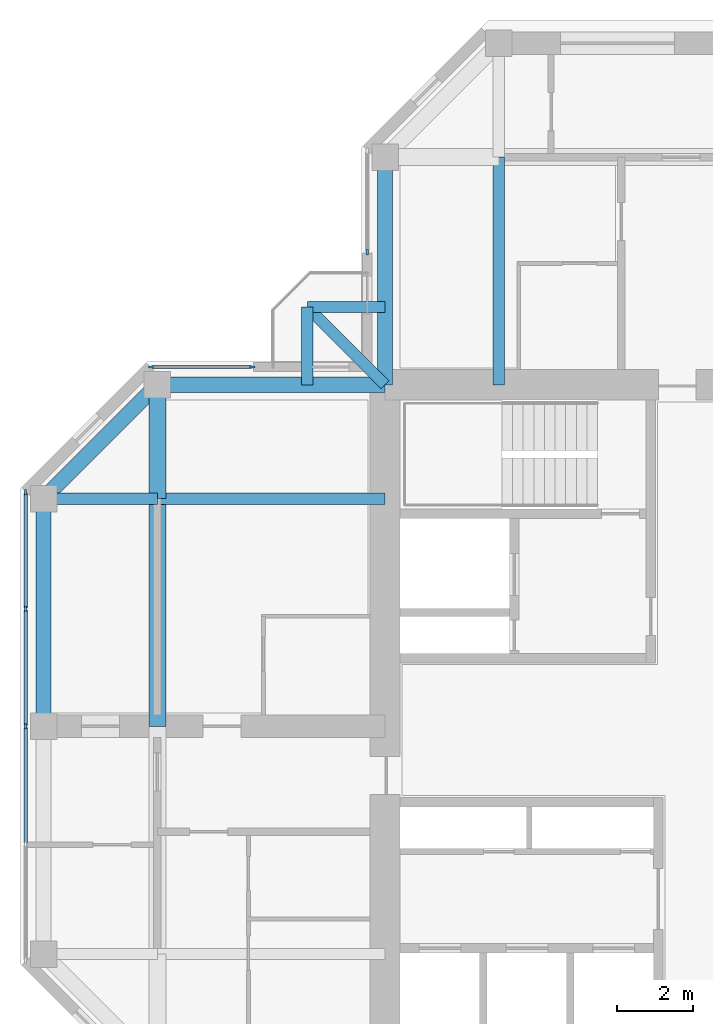
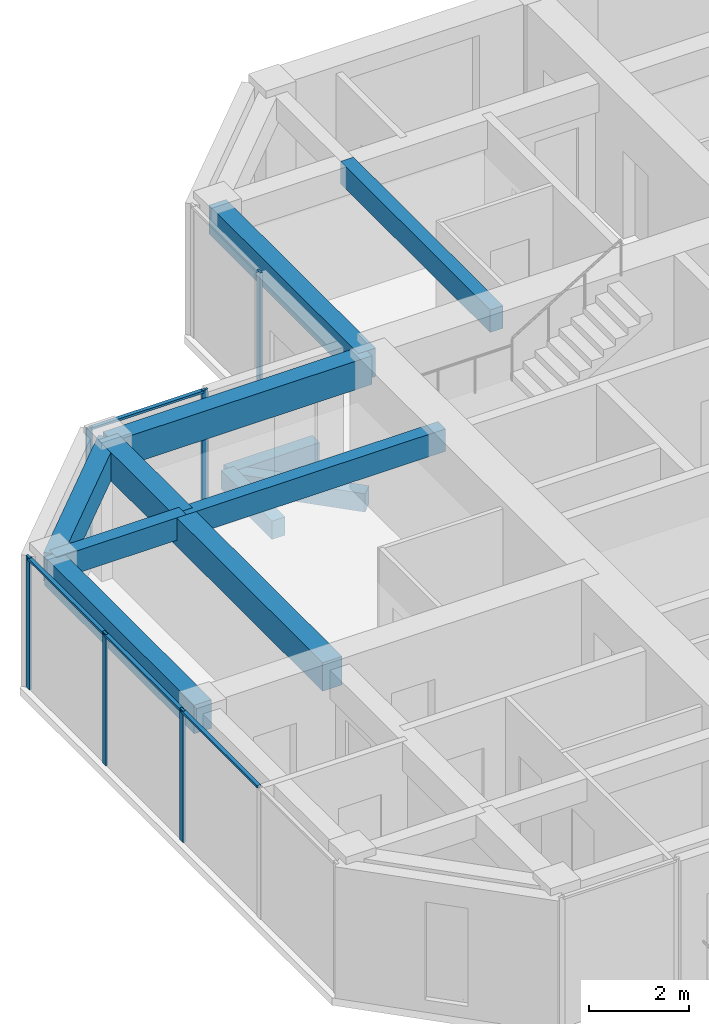
# One storey, part 4 of 13: 12 beams, 10 members, 3 elements without a shape of their own.
"""IFC4 building model written with IfcOpenShell, lengths in metres."""

from ifc_helpers import new_model, si_unit, direction, frame, origin, origin_2d, place, context, subcontext, project, spatial, rectangle, extrude, material, material_profile, profile_set, type_object, element, aggregate, save


model = new_model("IFC4")

# Units and contexts
model_context = context("Model", 3, precision=1e-05, world=origin(), true_north=direction((0.0, 1.0)))
body_context = subcontext(model_context, "Body", "Model", "MODEL_VIEW")
ifc_project = project(units=[si_unit("LENGTHUNIT", "METRE"), si_unit("AREAUNIT", "SQUARE_METRE"), si_unit("VOLUMEUNIT", "CUBIC_METRE"), si_unit("PLANEANGLEUNIT", "RADIAN"), si_unit("MASSUNIT", "GRAM", prefix="KILO")], contexts=[model_context])

# Site, building, storey
site_placement = place(None, origin())
site = spatial("IfcSite", under=ifc_project, at=site_placement, CompositionType="ELEMENT")
building_placement = place(site_placement, origin())
building = spatial("IfcBuilding", under=site, at=building_placement, Name="Torre Cruceta", CompositionType="ELEMENT")
storey_placement = place(building_placement, frame((0.0, 0.0, 278.10009765625)))
storey = spatial("IfcBuildingStorey", under=building, at=storey_placement, Name="L72", CompositionType="ELEMENT", Elevation=278.10009765625)

# Beams
ifc_material_1 = material(Name="Concrete G60 (fck 60 MPa)", Category="concrete")
ifc_material_profile_1 = material_profile(ifc_material_1, rectangle(XDim=0.300048828125, YDim=0.449951171875, at=origin_2d()), Name="RC 300X450")
ifc_profile_set_1 = profile_set([ifc_material_profile_1], Name="Concrete G60 (fck 60 MPa)")
beam_type_1 = type_object("IfcBeamType", Name="BALCONY CANTILEVER BEAM RC 300X450", PredefinedType="BEAM", material=ifc_profile_set_1)
beam_1_placement = place(storey_placement, frame((-9.0, 9.0, -0.405029296875), z_axis=(-0.707106781187, 0.707106781187, 0.0), x_axis=(-0.707106781187, -0.707106781187, 0.0)))
element("IfcBeam", 1, at=beam_1_placement, inside=storey, type_object=beam_type_1, Name="BB1 balcony beam L72 N", PredefinedType="BEAM", context=body_context, shape_type="SweptSolid", body=[
    extrude(rectangle(XDim=0.300048828125, YDim=0.449951171875, at=origin_2d()), origin(), (0.0, 0.0, 1.0), 2.89990234375),
])
for number, where, z_axis, x_axis, name in (
    (2, (-11.050537109375, 9.0, -0.405029296875), (0.0, 1.0, 0.0), (-1.0, 0.0, 0.0), "BB1 balcony edge beam L72 N-X"),
    (3, (-9.0, 11.050537109375, -0.405029296875), (-1.0, 0.0, 0.0), (0.0, -1.0, 0.0), "BB1 balcony edge beam L72 N-Y"),
):
    element("IfcBeam", number, at=place(storey_placement, frame(where, z_axis=z_axis, x_axis=x_axis)), inside=storey, type_object=beam_type_1, Name=name, PredefinedType="BEAM", context=body_context, shape_type="SweptSolid", body=[
        extrude(rectangle(XDim=0.300048828125, YDim=0.449951171875, at=origin_2d()), origin(), (0.0, 0.0, 1.0), 2.050537109375),
    ])
ifc_material_2 = material(Name="Concrete G60 (fck 60 MPa)", Category="concrete")
ifc_material_profile_2 = material_profile(ifc_material_2, rectangle(XDim=0.300048828125, YDim=0.550048828125, at=origin_2d()), Name="RC 300X550")
ifc_profile_set_2 = profile_set([ifc_material_profile_2], Name="Concrete G60 (fck 60 MPa)")
beam_type_2 = type_object("IfcBeamType", Name="COLUMN LINE BEAM RC 300X550", PredefinedType="BEAM", material=ifc_profile_set_2)
for number, where, z_axis, x_axis, name in (
    (4, (-6.0, 9.0, 2.94482421875), (0.0, 1.0, 0.0), (-1.0, 0.0, 0.0), "LB10 L72 N col+ 1"),
    (5, (-9.0, 6.0, 2.94482421875), (-1.0, 0.0, 0.0), (0.0, -1.0, 0.0), "LB10 L72 W col- 1"),
):
    element("IfcBeam", number, at=place(storey_placement, frame(where, z_axis=z_axis, x_axis=x_axis)), inside=storey, type_object=beam_type_2, Name=name, PredefinedType="BEAM", context=body_context, shape_type="SweptSolid", body=[
        extrude(rectangle(XDim=0.300048828125, YDim=0.550048828125, at=origin_2d()), origin(), (0.0, 0.0, 1.0), 6.0),
    ])
beam_2_placement = place(storey_placement, frame((-15.0, 6.0, 2.94482421875), z_axis=(-1.0, 0.0, 0.0), x_axis=(0.0, -1.0, 0.0)))
element("IfcBeam", 6, at=beam_2_placement, inside=storey, type_object=beam_type_2, Name="LB10 L72 W col- 2", PredefinedType="BEAM", context=body_context, shape_type="SweptSolid", body=[
    extrude(rectangle(XDim=0.300048828125, YDim=0.550048828125, at=origin_2d()), origin(), (0.0, 0.0, 1.0), 3.0),
])
ifc_material_3 = material(Name="Concrete G60 (fck 60 MPa)", Category="concrete")
ifc_material_profile_3 = material_profile(ifc_material_3, rectangle(XDim=0.449951171875, YDim=0.699951171875, at=origin_2d()), Name="RC 450X700")
ifc_profile_set_3 = profile_set([ifc_material_profile_3], Name="Concrete G60 (fck 60 MPa)")
beam_type_3 = type_object("IfcBeamType", Name="CROSS BEAM RC 450X700", PredefinedType="BEAM", material=ifc_profile_set_3)
beam_3_placement = place(storey_placement, frame((-15.0, 9.0, 2.869873046875), z_axis=(0.0, -1.0, 0.0), x_axis=(1.0, 0.0, 0.0)))
element("IfcBeam", 7, at=beam_3_placement, inside=storey, type_object=beam_type_3, Name="GB8 L72 W cross15 1", PredefinedType="BEAM", context=body_context, shape_type="SweptSolid", body=[
    extrude(rectangle(XDim=0.449951171875, YDim=0.699951171875, at=origin_2d()), origin(), (0.0, 0.0, 1.0), 3.0),
])
beam_4_placement = place(storey_placement, frame((-15.0, 6.0, 2.869873046875), z_axis=(0.0, -1.0, 0.0), x_axis=(1.0, 0.0, 0.0)))
element("IfcBeam", 8, at=beam_4_placement, inside=storey, type_object=beam_type_3, Name="GB8 L72 W cross15 2", PredefinedType="BEAM", context=body_context, shape_type="SweptSolid", body=[
    extrude(rectangle(XDim=0.449951171875, YDim=0.699951171875, at=origin_2d()), origin(), (0.0, 0.0, 1.0), 6.0),
])

# Curtain wall, member
ifc_material_4 = material(Name="Aluminium unitised curtain wall", Category="aluminium")
curtain_wall_type = type_object("IfcCurtainWallType", Name="CURTAIN WALL CW-E CO-LIVING TOP", PredefinedType="USERDEFINED", material=ifc_material_4)
curtain_wall_1_placement = place(storey_placement, origin())
curtain_wall_1 = element("IfcCurtainWall", 9, at=curtain_wall_1_placement, inside=storey, type_object=curtain_wall_type, Name="CW-E L72 N side 09", ObjectType="UNITISED", PredefinedType="USERDEFINED")
ifc_material_5 = material(Name="Aluminium mullion", Category="aluminium")
ifc_material_profile_4 = material_profile(ifc_material_5, rectangle(XDim=0.054931640625, YDim=0.139892578125, at=origin_2d()), Name="AL 55X140")
ifc_profile_set_4 = profile_set([ifc_material_profile_4], Name="Aluminium mullion")
member_type_1 = type_object("IfcMemberType", Name="CW-E MULLION 55X140", PredefinedType="MULLION", material=ifc_profile_set_4)
member_1_placement = place(storey_placement, frame((-9.469970703125, 12.49755859375, 0.0), z_axis=(0.0, 0.0, 1.0), x_axis=(1.0, 0.0, 0.0)))
member_1 = element("IfcMember", 10, at=member_1_placement, type_object=member_type_1, Name="CW-E mullion 2", PredefinedType="MULLION", context=body_context, shape_type="SweptSolid", body=[
    extrude(rectangle(XDim=0.054931640625, YDim=0.139892578125, at=origin_2d()), origin(), (0.0, 0.0, 1.0), 3.219970703125),
])
aggregate(curtain_wall_1, [member_1])

# Curtain wall, members
curtain_wall_2_placement = place(storey_placement, origin())
curtain_wall_2 = element("IfcCurtainWall", 11, at=curtain_wall_2_placement, inside=storey, type_object=curtain_wall_type, Name="CW-E L72 W side 10", ObjectType="UNITISED", PredefinedType="USERDEFINED")
member_2_placement = place(storey_placement, frame((-12.49755859375, 9.469970703125, 0.0), z_axis=(0.0, 0.0, 1.0), x_axis=(0.0, -1.0, 0.0)))
member_2 = element("IfcMember", 12, at=member_2_placement, type_object=member_type_1, Name="CW-E mullion 1", PredefinedType="MULLION", context=body_context, shape_type="SweptSolid", body=[
    extrude(rectangle(XDim=0.054931640625, YDim=0.139892578125, at=origin_2d()), origin(), (0.0, 0.0, 1.0), 3.219970703125),
])
member_3_placement = place(storey_placement, frame((-15.167236328125, 9.469970703125, 0.0), z_axis=(0.0, 0.0, 1.0), x_axis=(0.0, -1.0, 0.0)))
member_3 = element("IfcMember", 13, at=member_3_placement, type_object=member_type_1, Name="CW-E mullion 2", PredefinedType="MULLION", context=body_context, shape_type="SweptSolid", body=[
    extrude(rectangle(XDim=0.054931640625, YDim=0.139892578125, at=origin_2d()), origin(), (0.0, 0.0, 1.0), 3.219970703125),
])

curtain_wall_3_placement = place(storey_placement, origin())
curtain_wall_3 = element("IfcCurtainWall", 14, at=curtain_wall_3_placement, inside=storey, type_object=curtain_wall_type, Name="CW-E L72 W tip 12", ObjectType="UNITISED", PredefinedType="USERDEFINED")
member_4_placement = place(storey_placement, frame((-18.469970703125, 6.167236328125, 0.0), z_axis=(0.0, 0.0, 1.0), x_axis=(1.0, 0.0, 0.0)))
member_4 = element("IfcMember", 15, at=member_4_placement, type_object=member_type_1, Name="CW-E mullion 1", PredefinedType="MULLION", context=body_context, shape_type="SweptSolid", body=[
    extrude(rectangle(XDim=0.054931640625, YDim=0.139892578125, at=origin_2d()), origin(), (0.0, 0.0, 1.0), 3.219970703125),
])
member_5_placement = place(storey_placement, frame((-18.469970703125, 3.097412109375, 0.0), z_axis=(0.0, 0.0, 1.0), x_axis=(1.0, 0.0, 0.0)))
member_5 = element("IfcMember", 16, at=member_5_placement, type_object=member_type_1, Name="CW-E mullion 2", PredefinedType="MULLION", context=body_context, shape_type="SweptSolid", body=[
    extrude(rectangle(XDim=0.054931640625, YDim=0.139892578125, at=origin_2d()), origin(), (0.0, 0.0, 1.0), 3.219970703125),
])
member_6_placement = place(storey_placement, frame((-18.469970703125, 0.0, 0.0), z_axis=(0.0, 0.0, 1.0), x_axis=(1.0, 0.0, 0.0)))
member_6 = element("IfcMember", 17, at=member_6_placement, type_object=member_type_1, Name="CW-E mullion 3", PredefinedType="MULLION", context=body_context, shape_type="SweptSolid", body=[
    extrude(rectangle(XDim=0.054931640625, YDim=0.139892578125, at=origin_2d()), origin(), (0.0, 0.0, 1.0), 3.219970703125),
])

# Member
ifc_material_6 = material(Name="Aluminium transom", Category="aluminium")
ifc_material_profile_5 = material_profile(ifc_material_6, rectangle(XDim=0.090087890625, YDim=0.054931640625, at=origin_2d()), Name="AL 90X55")
ifc_profile_set_5 = profile_set([ifc_material_profile_5], Name="Aluminium transom")
member_type_2 = type_object("IfcMemberType", Name="CW-E TRANSOM 55X90", PredefinedType="USERDEFINED", material=ifc_profile_set_5)
member_7_placement = place(storey_placement, frame((-12.52490234375, 9.469970703125, 3.1923828125), z_axis=(-1.0, 0.0, 0.0), x_axis=(0.0, -1.0, 0.0)))
member_7 = element("IfcMember", 18, at=member_7_placement, type_object=member_type_2, Name="CW-E transom 1", ObjectType="TRANSOM", PredefinedType="USERDEFINED", context=body_context, shape_type="SweptSolid", body=[
    extrude(rectangle(XDim=0.090087890625, YDim=0.054931640625, at=origin_2d()), origin(), (0.0, 0.0, 1.0), 2.61474609375),
])

aggregate(curtain_wall_2, [member_2, member_3, member_7])

member_8_placement = place(storey_placement, frame((-18.469970703125, 6.1396484375, 3.1923828125), z_axis=(0.0, -1.0, 0.0), x_axis=(1.0, 0.0, 0.0)))
member_8 = element("IfcMember", 19, at=member_8_placement, type_object=member_type_2, Name="CW-E transom 1", ObjectType="TRANSOM", PredefinedType="USERDEFINED", context=body_context, shape_type="SweptSolid", body=[
    extrude(rectangle(XDim=0.090087890625, YDim=0.054931640625, at=origin_2d()), origin(), (0.0, 0.0, 1.0), 3.014892578125),
])

member_9_placement = place(storey_placement, frame((-18.469970703125, 3.06982421875, 3.1923828125), z_axis=(0.0, -1.0, 0.0), x_axis=(1.0, 0.0, 0.0)))
member_9 = element("IfcMember", 20, at=member_9_placement, type_object=member_type_2, Name="CW-E transom 2", ObjectType="TRANSOM", PredefinedType="USERDEFINED", context=body_context, shape_type="SweptSolid", body=[
    extrude(rectangle(XDim=0.090087890625, YDim=0.054931640625, at=origin_2d()), origin(), (0.0, 0.0, 1.0), 3.042236328125),
])

member_10_placement = place(storey_placement, frame((-18.469970703125, -0.027587890625, 3.1923828125), z_axis=(0.0, -1.0, 0.0), x_axis=(1.0, 0.0, 0.0)))
member_10 = element("IfcMember", 21, at=member_10_placement, type_object=member_type_2, Name="CW-E transom 3", ObjectType="TRANSOM", PredefinedType="USERDEFINED", context=body_context, shape_type="SweptSolid", body=[
    extrude(rectangle(XDim=0.090087890625, YDim=0.054931640625, at=origin_2d()), origin(), (0.0, 0.0, 1.0), 3.042236328125),
])

aggregate(curtain_wall_3, [member_4, member_5, member_6, member_8, member_9, member_10])

# Beams
ifc_material_7 = material(Name="Concrete G60 (fck 60 MPa)", Category="concrete")
ifc_material_profile_6 = material_profile(ifc_material_7, rectangle(XDim=0.39990234375, YDim=0.699951171875, at=origin_2d()), Name="RC 400X700")
ifc_profile_set_6 = profile_set([ifc_material_profile_6], Name="Concrete G60 (fck 60 MPa)")
beam_type_4 = type_object("IfcBeamType", Name="SPANDREL BEAM RC 400X700", PredefinedType="SPANDREL", material=ifc_profile_set_6)
for number, where, z_axis, x_axis, name in (
    (22, (-9.0, 9.0, 2.869873046875), (0.0, 1.0, 0.0), (-1.0, 0.0, 0.0), "SB8 L72 N side+ 1"),
    (23, (-9.0, 9.0, 2.869873046875), (-1.0, 0.0, 0.0), (0.0, -1.0, 0.0), "SB8 L72 W side- 1"),
):
    element("IfcBeam", number, at=place(storey_placement, frame(where, z_axis=z_axis, x_axis=x_axis)), inside=storey, type_object=beam_type_4, Name=name, PredefinedType="SPANDREL", context=body_context, shape_type="SweptSolid", body=[
        extrude(rectangle(XDim=0.39990234375, YDim=0.699951171875, at=origin_2d()), origin(), (0.0, 0.0, 1.0), 6.0),
    ])
beam_5_placement = place(storey_placement, frame((-15.0, 9.0, 2.869873046875), z_axis=(-0.707106781187, -0.707106781187, 0.0), x_axis=(0.707106781187, -0.707106781187, 0.0)))
element("IfcBeam", 24, at=beam_5_placement, inside=storey, type_object=beam_type_4, Name="SB8 L72 W side- 2", PredefinedType="SPANDREL", context=body_context, shape_type="SweptSolid", body=[
    extrude(rectangle(XDim=0.39990234375, YDim=0.699951171875, at=origin_2d()), origin(), (0.0, 0.0, 1.0), 4.24267578125),
])
beam_6_placement = place(storey_placement, frame((-18.0, 6.0, 2.869873046875), z_axis=(0.0, -1.0, 0.0), x_axis=(1.0, 0.0, 0.0)))
element("IfcBeam", 25, at=beam_6_placement, inside=storey, type_object=beam_type_4, Name="SB8 L72 W tip 1", PredefinedType="SPANDREL", context=body_context, shape_type="SweptSolid", body=[
    extrude(rectangle(XDim=0.39990234375, YDim=0.699951171875, at=origin_2d()), origin(), (0.0, 0.0, 1.0), 6.0),
])

save(model, "model.ifc")
